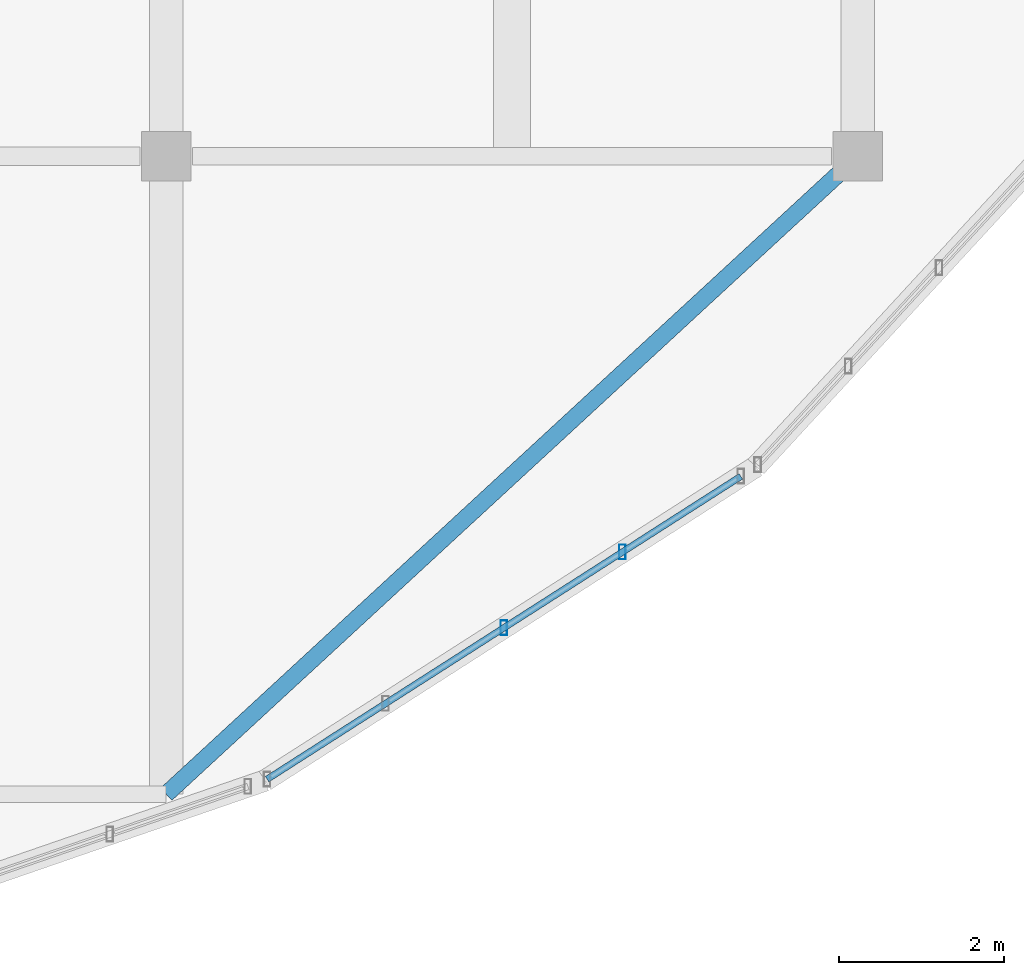
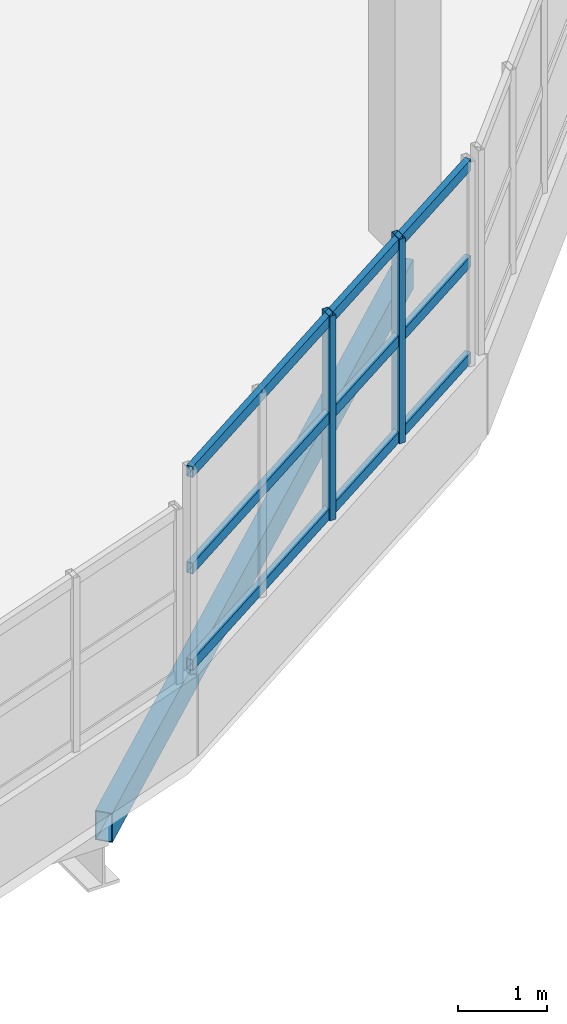
# One storey, part 19 of 52: 5 members, 1 beam, 1 element without a shape of its own.
"""IFC4 building model written with IfcOpenShell, lengths in metres."""

from ifc_helpers import new_model, si_unit, direction, frame, origin, origin_2d, place, context, subcontext, project, spatial, hollow_rectangle, extrude, material, material_profile, profile_set, type_object, element, aggregate, save


model = new_model("IFC4")

# Units and contexts
model_context = context("Model", 3, precision=1e-05, world=origin(), true_north=direction((0.0, 1.0)))
body_context = subcontext(model_context, "Body", "Model", "MODEL_VIEW")
ifc_project = project(units=[si_unit("LENGTHUNIT", "METRE"), si_unit("AREAUNIT", "SQUARE_METRE"), si_unit("VOLUMEUNIT", "CUBIC_METRE"), si_unit("PLANEANGLEUNIT", "RADIAN"), si_unit("MASSUNIT", "GRAM", prefix="KILO")], contexts=[model_context])

# Site, building, storey
site_placement = place(None, origin())
site = spatial("IfcSite", under=ifc_project, at=site_placement, CompositionType="ELEMENT")
building_placement = place(site_placement, origin())
building = spatial("IfcBuilding", under=site, at=building_placement, Name="Solvento Point Concert Hall", CompositionType="ELEMENT")
storey_placement = place(building_placement, frame((0.0, 0.0, 19.5)))
storey = spatial("IfcBuildingStorey", under=building, at=storey_placement, Name="L04", CompositionType="ELEMENT", Elevation=19.5)

# Curtain wall, members
ifc_material_1 = material(Name="Anodized Bronze Aluminium", Category="aluminium")
curtain_wall_type = type_object("IfcCurtainWallType", Name="CurtainWall_RingRibbon_L03_04", PredefinedType="USERDEFINED", material=ifc_material_1)
curtain_wall_placement = place(storey_placement, origin())
curtain_wall = element("IfcCurtainWall", 1, at=curtain_wall_placement, inside=storey, type_object=curtain_wall_type, Name="Unitised curtain wall CW-31 UCW-L04-228", ObjectType="UNITISED CURTAIN WALL", PredefinedType="USERDEFINED")
ifc_material_2 = material(Name="Anodized Bronze Aluminium", Category="aluminium")
ifc_material_profile_1 = material_profile(ifc_material_2, hollow_rectangle(XDim=0.080078125, YDim=0.179931640625, WallThickness=0.00390625, at=origin_2d()), Name="CW-MUL-80X180")
ifc_profile_set_1 = profile_set([ifc_material_profile_1], Name="Anodized Bronze Aluminium")
member_type_1 = type_object("IfcMemberType", Name="Mullion_80x180", PredefinedType="MULLION", material=ifc_profile_set_1)
member_1_placement = place(storey_placement, frame((79.94091796875, 12.191162109375, 1.1201171875), z_axis=(0.0, 0.0, 1.0), x_axis=(1.0, 0.0, 0.0)))
member_1 = element("IfcMember", 2, at=member_1_placement, type_object=member_type_1, Name="Curtain wall mullion ML-01", PredefinedType="MULLION", context=body_context, shape_type="SweptSolid", body=[
    extrude(hollow_rectangle(XDim=0.080078125, YDim=0.179931640625, WallThickness=0.00390625, at=origin_2d()), origin(), (0.0, 0.0, 1.0), 2.81982421875),
])
member_2_placement = place(storey_placement, frame((78.502197265625, 11.271240234375, 1.1201171875), z_axis=(0.0, 0.0, 1.0), x_axis=(1.0, 0.0, 0.0)))
member_2 = element("IfcMember", 3, at=member_2_placement, type_object=member_type_1, Name="Curtain wall mullion ML-01", PredefinedType="MULLION", context=body_context, shape_type="SweptSolid", body=[
    extrude(hollow_rectangle(XDim=0.080078125, YDim=0.179931640625, WallThickness=0.00390625, at=origin_2d()), origin(), (0.0, 0.0, 1.0), 2.81982421875),
])

# Beam
ifc_material_3 = material(Name="Structural Steel ASTM A500 Grade C", Category="steel")
ifc_material_profile_2 = material_profile(ifc_material_3, hollow_rectangle(XDim=0.203125, YDim=0.406494140625, WallThickness=0.01171875, at=origin_2d()), Name="HSS16X8X1/2")
ifc_profile_set_2 = profile_set([ifc_material_profile_2], Name="Structural Steel ASTM A500 Grade C")
beam_type = type_object("IfcBeamType", Name="RingBeam_HSS16X8", PredefinedType="SPANDREL", material=ifc_profile_set_2)
beam_placement = place(storey_placement, frame((74.39990234375, 9.25, -0.497314453125), z_axis=(0.734977040548, 0.678091992186, 0.0), x_axis=(-0.678091992186, 0.734977040548, 0.0)))
element("IfcBeam", 4, at=beam_placement, inside=storey, type_object=beam_type, Name="Elliptical perimeter ring beam RB-01 L04", PredefinedType="SPANDREL", context=body_context, shape_type="SweptSolid", body=[
    extrude(hollow_rectangle(XDim=0.203125, YDim=0.406494140625, WallThickness=0.01171875, at=origin_2d()), origin(), (0.0, 0.0, 1.0), 11.42919921875),
])

# Member
ifc_material_4 = material(Name="Anodized Bronze Aluminium", Category="aluminium")
ifc_material_profile_3 = material_profile(ifc_material_4, hollow_rectangle(XDim=0.080078125, YDim=0.14990234375, WallThickness=0.00390625, at=origin_2d()), Name="CW-TRN-80X150")
ifc_profile_set_3 = profile_set([ifc_material_profile_3], Name="Anodized Bronze Aluminium")
member_type_2 = type_object("IfcMemberType", Name="Transom_80x150", PredefinedType="USERDEFINED", material=ifc_profile_set_3)
member_3_placement = place(storey_placement, frame((81.37939453125, 13.11083984375, 1.199951171875), z_axis=(-0.84250113822, -0.5386945629, 0.0), x_axis=(0.5386945629, -0.84250113822, 0.0)))
member_3 = element("IfcMember", 5, at=member_3_placement, type_object=member_type_2, Name="Curtain wall transom TR-01", ObjectType="TRANSOM", PredefinedType="USERDEFINED", context=body_context, shape_type="SweptSolid", body=[
    extrude(hollow_rectangle(XDim=0.080078125, YDim=0.14990234375, WallThickness=0.00390625, at=origin_2d()), origin(), (0.0, 0.0, 1.0), 6.829833984375),
])

member_4_placement = place(storey_placement, frame((81.37939453125, 13.11083984375, 2.530029296875), z_axis=(-0.84250113822, -0.5386945629, 0.0), x_axis=(0.5386945629, -0.84250113822, 0.0)))
member_4 = element("IfcMember", 6, at=member_4_placement, type_object=member_type_2, Name="Curtain wall transom TR-01", ObjectType="TRANSOM", PredefinedType="USERDEFINED", context=body_context, shape_type="SweptSolid", body=[
    extrude(hollow_rectangle(XDim=0.080078125, YDim=0.14990234375, WallThickness=0.00390625, at=origin_2d()), origin(), (0.0, 0.0, 1.0), 6.829833984375),
])

member_5_placement = place(storey_placement, frame((81.37939453125, 13.11083984375, 3.860107421875), z_axis=(-0.84250113822, -0.5386945629, 0.0), x_axis=(0.5386945629, -0.84250113822, 0.0)))
member_5 = element("IfcMember", 7, at=member_5_placement, type_object=member_type_2, Name="Curtain wall transom TR-01", ObjectType="TRANSOM", PredefinedType="USERDEFINED", context=body_context, shape_type="SweptSolid", body=[
    extrude(hollow_rectangle(XDim=0.080078125, YDim=0.14990234375, WallThickness=0.00390625, at=origin_2d()), origin(), (0.0, 0.0, 1.0), 6.829833984375),
])

aggregate(curtain_wall, [member_1, member_2, member_3, member_4, member_5])

save(model, "model.ifc")
